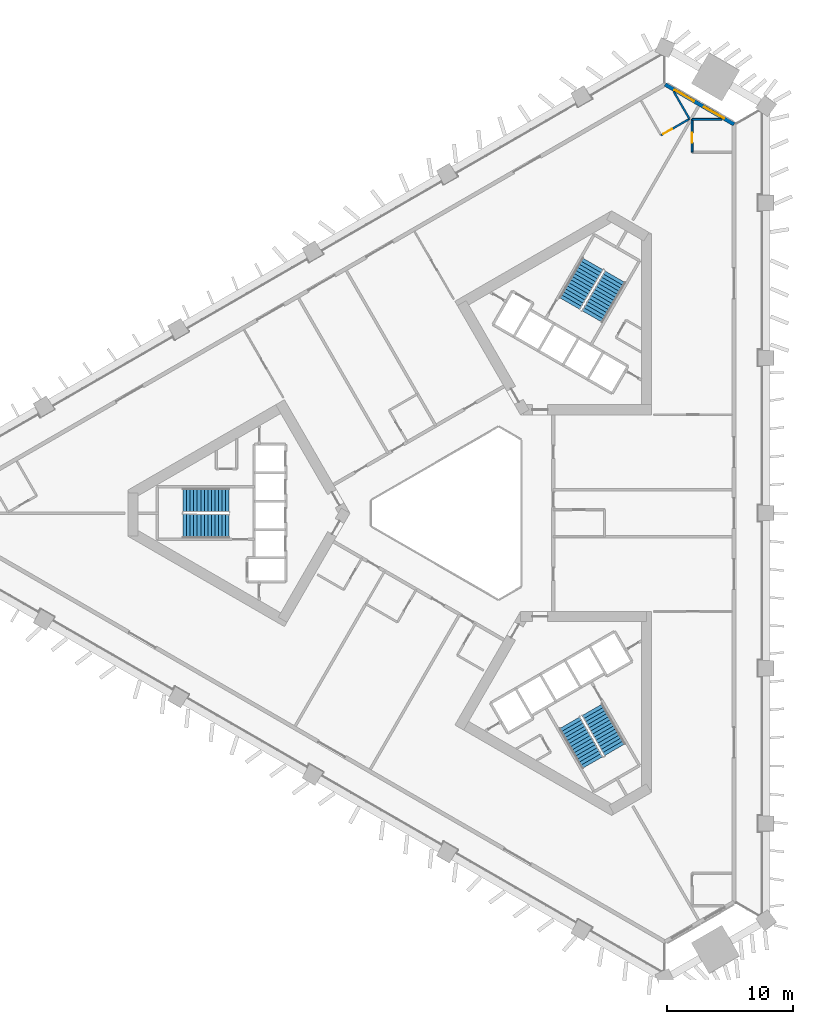
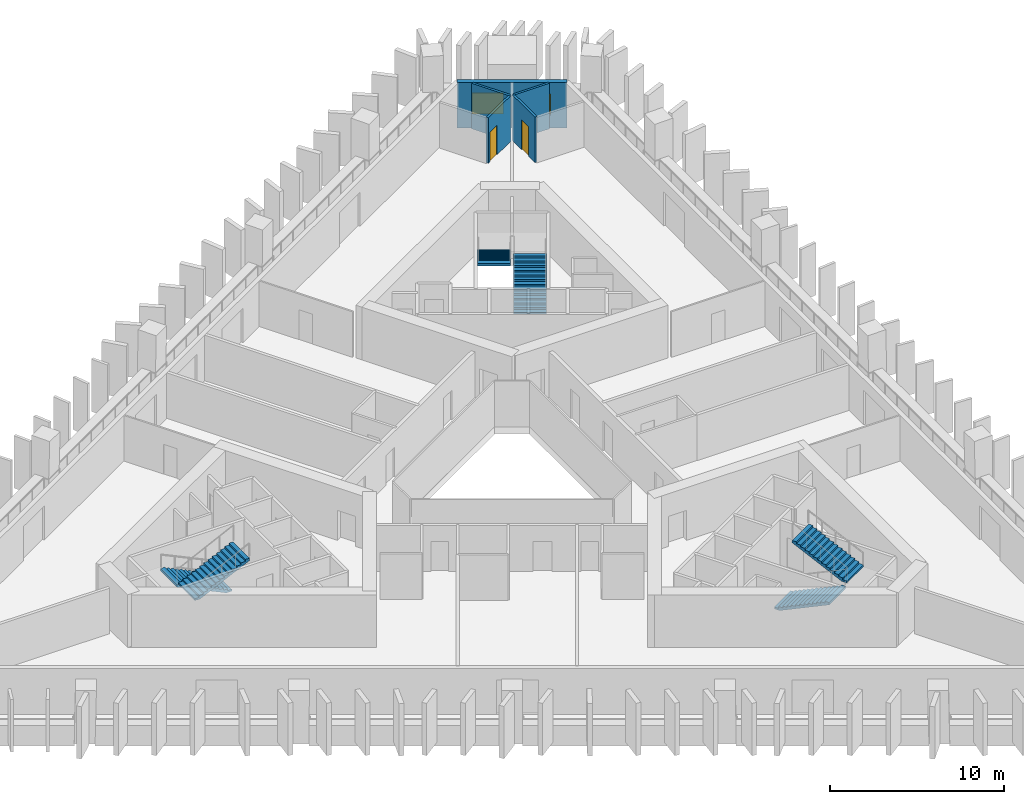
# One storey, part 6 of 10: 6 stair flights, 5 walls, 2 doors, 2 windows, 4 openings, 3 elements without a shape of their own.
"""IFC4 building model written with IfcOpenShell, lengths in metres."""

from ifc_helpers import new_model, si_unit, direction, frame, frame_2d, origin, place, context, subcontext, project, spatial, polyline, rectangle, outline, extrude, material, layer, layer_set, type_object, element, fill, aggregate, save


model = new_model("IFC4")

# Units and contexts
model_context = context("Model", 3, precision=1e-05, world=origin(), true_north=direction((0.0, 1.0)))
body_context = subcontext(model_context, "Body", "Model", "MODEL_VIEW")
ifc_project = project(units=[si_unit("LENGTHUNIT", "METRE"), si_unit("AREAUNIT", "SQUARE_METRE"), si_unit("VOLUMEUNIT", "CUBIC_METRE"), si_unit("PLANEANGLEUNIT", "RADIAN"), si_unit("MASSUNIT", "GRAM", prefix="KILO")], contexts=[model_context])

# Site, building, storey
site_placement = place(None, origin())
site = spatial("IfcSite", under=ifc_project, at=site_placement, CompositionType="ELEMENT")
building_placement = place(site_placement, origin())
building = spatial("IfcBuilding", under=site, at=building_placement, Name="Jabali Bay Hotel Tower and Convention Centre", CompositionType="ELEMENT")
storey_placement = place(building_placement, frame((0.0, 0.0, 33.699951171875)))
storey = spatial("IfcBuildingStorey", under=building, at=storey_placement, Name="L06", CompositionType="ELEMENT", Elevation=33.699951171875)

# Wall, openings, windows
ifc_material_1 = material(Name="Concrete C40", Category="concrete")
ifc_layer_1 = layer(ifc_material_1, 0.300048828125)
ifc_layer_set_1 = layer_set([ifc_layer_1], Name="Concrete C40")
wall_type_1 = type_object("IfcWallType", Name="External wall 300", PredefinedType="SOLIDWALL", material=ifc_layer_set_1)
wall_1_placement = place(storey_placement, frame((90.965087890625, 113.957275390625, 0.0), z_axis=(0.0, 0.0, 1.0), x_axis=(0.866032760736, -0.49998725717, 0.0)))
wall_1 = element("IfcWall", 1, at=wall_1_placement, inside=storey, type_object=wall_type_1, Name="External wall north-east chamfer L06", PredefinedType="SOLIDWALL", context=body_context, shape_type="SweptSolid", body=[
    extrude(rectangle(XDim=6.304931640625, YDim=0.300048828125, at=frame_2d((3.15234375, 0.0))), origin(), (0.0, 0.0, 1.0), 3.199951171875),
])
opening_1_placement = place(wall_1_placement, frame((3.56982421875, 0.0, 0.89990234375)))
opening_1 = element("IfcOpeningElement", 2, at=opening_1_placement, cuts=wall_1, Name="Opening W1", PredefinedType="OPENING", context=body_context, shape_type="SweptSolid", body=[
    extrude(rectangle(XDim=1.800048828125, YDim=1.5, at=frame_2d((0.89990234375, 0.75))), frame((0.0, 0.16064453125, 0.0), z_axis=(0.0, -1.0, 0.0), x_axis=(1.0, 0.0, 0.0)), (0.0, 0.0, 1.0), 0.321044921875),
])
opening_2_placement = place(wall_1_placement, frame((0.851806640625, 0.0, 0.89990234375)))
opening_2 = element("IfcOpeningElement", 3, at=opening_2_placement, cuts=wall_1, Name="Opening W1", PredefinedType="OPENING", context=body_context, shape_type="SweptSolid", body=[
    extrude(rectangle(XDim=1.800048828125, YDim=1.5, at=frame_2d((0.89990234375, 0.75))), frame((0.0, 0.16064453125, 0.0), z_axis=(0.0, -1.0, 0.0), x_axis=(1.0, 0.0, 0.0)), (0.0, 0.0, 1.0), 0.321044921875),
])
ifc_material_2 = material(Name="Glass", Category="glass")
window_type = type_object("IfcWindowType", Name="Window 1800 x 1500", PartitioningType="SINGLE_PANEL", PredefinedType="WINDOW", material=ifc_material_2)
window_1_placement = place(opening_1_placement, origin())
window_1 = element("IfcWindow", 4, at=window_1_placement, inside=storey, type_object=window_type, Name="Window 603", OverallHeight=1.5, OverallWidth=1.800048828125, PartitioningType="SINGLE_PANEL", PredefinedType="WINDOW", context=body_context, shape_type="SweptSolid", body=[
    extrude(rectangle(XDim=1.800048828125, YDim=1.5, at=frame_2d((0.89990234375, 0.75))), frame((0.0, 0.030029296875, 0.0), z_axis=(0.0, -1.0, 0.0), x_axis=(1.0, 0.0, 0.0)), (0.0, 0.0, 1.0), 0.06005859375),
])
fill(opening_1, window_1)
window_2_placement = place(opening_2_placement, origin())
window_2 = element("IfcWindow", 5, at=window_2_placement, inside=storey, type_object=window_type, Name="Window 604", OverallHeight=1.5, OverallWidth=1.800048828125, PartitioningType="SINGLE_PANEL", PredefinedType="WINDOW", context=body_context, shape_type="SweptSolid", body=[
    extrude(rectangle(XDim=1.800048828125, YDim=1.5, at=frame_2d((0.89990234375, 0.75))), frame((0.0, 0.030029296875, 0.0), z_axis=(0.0, -1.0, 0.0), x_axis=(1.0, 0.0, 0.0)), (0.0, 0.0, 1.0), 0.06005859375),
])
fill(opening_2, window_2)

# Wall, opening, door
ifc_material_3 = material(Name="Plasterboard on steel stud", Category="steel")
ifc_layer_2 = layer(ifc_material_3, 0.14990234375)
ifc_layer_set_2 = layer_set([ifc_layer_2], Name="Plasterboard on steel stud")
wall_type_2 = type_object("IfcWallType", Name="Partition 150 wet", PredefinedType="PARTITIONING", material=ifc_layer_set_2)
wall_2_placement = place(storey_placement, frame((93.1015625, 108.59423828125, 0.0), z_axis=(0.0, 0.0, 1.0), x_axis=(0.0, 1.0, 0.0)))
wall_2 = element("IfcWall", 6, at=wall_2_placement, inside=storey, type_object=wall_type_2, Name="Partition P03 L06 013", PredefinedType="PARTITIONING", context=body_context, shape_type="SweptSolid", body=[
    extrude(rectangle(XDim=2.60009765625, YDim=0.14990234375, at=frame_2d((1.300048828125, 0.0))), origin(), (0.0, 0.0, 1.0), 3.199951171875),
])
opening_3_placement = place(wall_2_placement, frame((0.75, 0.0, 0.0)))
opening_3 = element("IfcOpeningElement", 7, at=opening_3_placement, cuts=wall_2, Name="Opening 0608", PredefinedType="OPENING", context=body_context, shape_type="SweptSolid", body=[
    extrude(rectangle(XDim=0.800048828125, YDim=2.10009765625, at=frame_2d((0.39990234375, 1.050048828125))), frame((0.0, 0.08544921875, 0.0), z_axis=(0.0, -1.0, 0.0), x_axis=(1.0, 0.0, 0.0)), (0.0, 0.0, 1.0), 0.1708984375),
])
ifc_material_4 = material(Name="Timber", Category="wood")
door_type = type_object("IfcDoorType", Name="En-suite door 800 x 2100", OperationType="NOTDEFINED", PredefinedType="NOTDEFINED", material=ifc_material_4)
door_1_placement = place(opening_3_placement, origin())
door_1 = element("IfcDoor", 8, at=door_1_placement, inside=storey, type_object=door_type, Name="Door 0608", OperationType="SINGLE_SWING_LEFT", OverallHeight=2.10009765625, OverallWidth=0.800048828125, PredefinedType="NOTDEFINED", context=body_context, shape_type="SweptSolid", body=[
    extrude(rectangle(XDim=0.800048828125, YDim=2.10009765625, at=frame_2d((0.39990234375, 1.050048828125))), frame((0.0, 0.02490234375, 0.0), z_axis=(0.0, -1.0, 0.0), x_axis=(1.0, 0.0, 0.0)), (0.0, 0.0, 1.0), 0.050048828125),
])
fill(opening_3, door_1)

# Walls
wall_3_placement = place(storey_placement, frame((93.1015625, 111.1943359375, 0.0), z_axis=(0.0, 0.0, 1.0), x_axis=(1.0, 0.0, 0.0)))
element("IfcWall", 9, at=wall_3_placement, inside=storey, type_object=wall_type_2, Name="Partition P03 L06 014", PredefinedType="PARTITIONING", context=body_context, shape_type="SweptSolid", body=[
    extrude(rectangle(XDim=2.3515625, YDim=0.14990234375, at=frame_2d((1.17578125, 0.0))), origin(), (0.0, 0.0, 1.0), 3.199951171875),
])
wall_4_placement = place(storey_placement, frame((91.644287109375, 113.39306640625, 0.0), z_axis=(0.0, 0.0, 1.0), x_axis=(0.500021675881, -0.866012888847, 0.0)))
element("IfcWall", 10, at=wall_4_placement, inside=storey, type_object=wall_type_2, Name="Partition P03 L06 018", PredefinedType="PARTITIONING", context=body_context, shape_type="SweptSolid", body=[
    extrude(rectangle(XDim=2.49560546875, YDim=0.14990234375, at=frame_2d((1.247802734375, 0.0))), origin(), (0.0, 0.0, 1.0), 3.199951171875),
])

# Wall, opening, door
wall_5_placement = place(storey_placement, frame((92.89208984375, 111.23193359375, 0.0), z_axis=(0.0, 0.0, 1.0), x_axis=(-0.866021400173, -0.500006934395, 0.0)))
wall_5 = element("IfcWall", 11, at=wall_5_placement, inside=storey, type_object=wall_type_2, Name="Partition P03 L06 019", PredefinedType="PARTITIONING", context=body_context, shape_type="SweptSolid", body=[
    extrude(rectangle(XDim=2.60009765625, YDim=0.14990234375, at=frame_2d((1.300048828125, 0.0))), origin(), (0.0, 0.0, 1.0), 3.199951171875),
])
opening_4_placement = place(wall_5_placement, frame((1.60009765625, 0.0, 0.0)))
opening_4 = element("IfcOpeningElement", 12, at=opening_4_placement, cuts=wall_5, Name="Opening 0611", PredefinedType="OPENING", context=body_context, shape_type="SweptSolid", body=[
    extrude(rectangle(XDim=0.800048828125, YDim=2.10009765625, at=frame_2d((0.39990234375, 1.050048828125))), frame((0.0, 0.08544921875, 0.0), z_axis=(0.0, -1.0, 0.0), x_axis=(1.0, 0.0, 0.0)), (0.0, 0.0, 1.0), 0.1708984375),
])
door_2_placement = place(opening_4_placement, origin())
door_2 = element("IfcDoor", 13, at=door_2_placement, inside=storey, type_object=door_type, Name="Door 0611", OperationType="SINGLE_SWING_RIGHT", OverallHeight=2.10009765625, OverallWidth=0.800048828125, PredefinedType="NOTDEFINED", context=body_context, shape_type="SweptSolid", body=[
    extrude(rectangle(XDim=0.800048828125, YDim=2.10009765625, at=frame_2d((0.39990234375, 1.050048828125))), frame((0.0, 0.02490234375, 0.0), z_axis=(0.0, -1.0, 0.0), x_axis=(1.0, 0.0, 0.0)), (0.0, 0.0, 1.0), 0.050048828125),
])
fill(opening_4, door_2)

# Stair, stair flights
stair_type = type_object("IfcStairType", Name="Exit stair 1900", PredefinedType="HALF_TURN_STAIR", material=ifc_material_1)
stair_1_placement = place(storey_placement, origin())
stair_1 = element("IfcStair", 14, at=stair_1_placement, inside=storey, type_object=stair_type, Name="L06 Exit Stair 1", PredefinedType="HALF_TURN_STAIR")
stair_flight_type = type_object("IfcStairFlightType", Name="Stair flight concrete 150", PredefinedType="STRAIGHT", material=ifc_material_1)
stair_flight_1_placement = place(storey_placement, frame((56.419921875, 81.02490234375, 0.0), z_axis=(0.0, 0.0, 1.0), x_axis=(-1.0, 0.0, 0.0)))
stair_flight_1 = element("IfcStairFlight", 15, at=stair_flight_1_placement, type_object=stair_flight_type, Name="ST1 flight 1", NumberOfRisers=14, NumberOfTreads=13, PredefinedType="STRAIGHT", RiserHeight=0.132142857, TreadLength=0.28, context=body_context, shape_type="SweptSolid", body=[
    extrude(outline(polyline([(0.0, 0.0), (0.0, 0.132080078125), (0.280029296875, 0.132080078125), (0.280029296875, 0.264404296875), (0.56005859375, 0.264404296875), (0.56005859375, 0.396484375), (0.840087890625, 0.396484375), (0.840087890625, 0.528564453125), (1.1201171875, 0.528564453125), (1.1201171875, 0.66064453125), (1.39990234375, 0.66064453125), (1.39990234375, 0.79296875), (1.679931640625, 0.79296875), (1.679931640625, 0.925048828125), (1.9599609375, 0.925048828125), (1.9599609375, 1.05712890625), (2.239990234375, 1.05712890625), (2.239990234375, 1.189208984375), (2.52001953125, 1.189208984375), (2.52001953125, 1.321533203125), (2.800048828125, 1.321533203125), (2.800048828125, 1.45361328125), (3.080078125, 1.45361328125), (3.080078125, 1.585693359375), (3.360107421875, 1.585693359375), (3.360107421875, 1.7177734375), (3.639892578125, 1.7177734375), (3.639892578125, 1.85009765625), (3.639892578125, 1.552001953125), (0.351318359375, 0.0), (0.0, 0.0)])), frame((0.0, 0.949951171875, 0.0), z_axis=(0.0, -1.0, 0.0), x_axis=(1.0, 0.0, 0.0)), (0.0, 0.0, 1.0), 1.89990234375),
])
stair_flight_2_placement = place(storey_placement, frame((52.780029296875, 78.97509765625, 1.85009765625), z_axis=(0.0, 0.0, 1.0), x_axis=(1.0, 0.0, 0.0)))
stair_flight_2 = element("IfcStairFlight", 16, at=stair_flight_2_placement, type_object=stair_flight_type, Name="ST1 flight 2", NumberOfRisers=14, NumberOfTreads=13, PredefinedType="STRAIGHT", RiserHeight=0.132142857, TreadLength=0.28, context=body_context, shape_type="SweptSolid", body=[
    extrude(outline(polyline([(0.0, 0.0), (0.0, 0.132080078125), (0.280029296875, 0.132080078125), (0.280029296875, 0.264404296875), (0.56005859375, 0.264404296875), (0.56005859375, 0.396484375), (0.840087890625, 0.396484375), (0.840087890625, 0.528564453125), (1.1201171875, 0.528564453125), (1.1201171875, 0.66064453125), (1.39990234375, 0.66064453125), (1.39990234375, 0.79296875), (1.679931640625, 0.79296875), (1.679931640625, 0.925048828125), (1.9599609375, 0.925048828125), (1.9599609375, 1.05712890625), (2.239990234375, 1.05712890625), (2.239990234375, 1.189208984375), (2.52001953125, 1.189208984375), (2.52001953125, 1.321533203125), (2.800048828125, 1.321533203125), (2.800048828125, 1.45361328125), (3.080078125, 1.45361328125), (3.080078125, 1.585693359375), (3.360107421875, 1.585693359375), (3.360107421875, 1.7177734375), (3.639892578125, 1.7177734375), (3.639892578125, 1.85009765625), (3.639892578125, 1.552001953125), (0.351318359375, 0.0), (0.0, 0.0)])), frame((0.0, 0.949951171875, 0.0), z_axis=(0.0, -1.0, 0.0), x_axis=(1.0, 0.0, 0.0)), (0.0, 0.0, 1.0), 1.89990234375),
])
aggregate(stair_1, [stair_flight_1, stair_flight_2])

stair_2_placement = place(storey_placement, origin())
stair_2 = element("IfcStair", 17, at=stair_2_placement, inside=storey, type_object=stair_type, Name="L06 Exit Stair 2", PredefinedType="HALF_TURN_STAIR")
stair_flight_3_placement = place(storey_placement, frame((85.177734375, 95.578369140625, 0.0), z_axis=(0.0, 0.0, 1.0), x_axis=(0.5, 0.866025403784, 0.0)))
stair_flight_3 = element("IfcStairFlight", 18, at=stair_flight_3_placement, type_object=stair_flight_type, Name="ST2 flight 1", NumberOfRisers=14, NumberOfTreads=13, PredefinedType="STRAIGHT", RiserHeight=0.132142857, TreadLength=0.28, context=body_context, shape_type="SweptSolid", body=[
    extrude(outline(polyline([(0.0, 0.0), (0.0, 0.132080078125), (0.280029296875, 0.132080078125), (0.280029296875, 0.264404296875), (0.56005859375, 0.264404296875), (0.56005859375, 0.396484375), (0.840087890625, 0.396484375), (0.840087890625, 0.528564453125), (1.1201171875, 0.528564453125), (1.1201171875, 0.66064453125), (1.39990234375, 0.66064453125), (1.39990234375, 0.79296875), (1.679931640625, 0.79296875), (1.679931640625, 0.925048828125), (1.9599609375, 0.925048828125), (1.9599609375, 1.05712890625), (2.239990234375, 1.05712890625), (2.239990234375, 1.189208984375), (2.52001953125, 1.189208984375), (2.52001953125, 1.321533203125), (2.800048828125, 1.321533203125), (2.800048828125, 1.45361328125), (3.080078125, 1.45361328125), (3.080078125, 1.585693359375), (3.360107421875, 1.585693359375), (3.360107421875, 1.7177734375), (3.639892578125, 1.7177734375), (3.639892578125, 1.85009765625), (3.639892578125, 1.552001953125), (0.351318359375, 0.0), (0.0, 0.0)])), frame((0.0, 0.949951171875, 0.0), z_axis=(0.0, -1.0, 0.0), x_axis=(1.0, 0.0, 0.0)), (0.0, 0.0, 1.0), 1.89990234375),
])
stair_flight_4_placement = place(storey_placement, frame((85.222412109375, 99.755615234375, 1.85009765625), z_axis=(0.0, 0.0, 1.0), x_axis=(-0.5, -0.866025403784, 0.0)))
stair_flight_4 = element("IfcStairFlight", 19, at=stair_flight_4_placement, type_object=stair_flight_type, Name="ST2 flight 2", NumberOfRisers=14, NumberOfTreads=13, PredefinedType="STRAIGHT", RiserHeight=0.132142857, TreadLength=0.28, context=body_context, shape_type="SweptSolid", body=[
    extrude(outline(polyline([(0.0, 0.0), (0.0, 0.132080078125), (0.280029296875, 0.132080078125), (0.280029296875, 0.264404296875), (0.56005859375, 0.264404296875), (0.56005859375, 0.396484375), (0.840087890625, 0.396484375), (0.840087890625, 0.528564453125), (1.1201171875, 0.528564453125), (1.1201171875, 0.66064453125), (1.39990234375, 0.66064453125), (1.39990234375, 0.79296875), (1.679931640625, 0.79296875), (1.679931640625, 0.925048828125), (1.9599609375, 0.925048828125), (1.9599609375, 1.05712890625), (2.239990234375, 1.05712890625), (2.239990234375, 1.189208984375), (2.52001953125, 1.189208984375), (2.52001953125, 1.321533203125), (2.800048828125, 1.321533203125), (2.800048828125, 1.45361328125), (3.080078125, 1.45361328125), (3.080078125, 1.585693359375), (3.360107421875, 1.585693359375), (3.360107421875, 1.7177734375), (3.639892578125, 1.7177734375), (3.639892578125, 1.85009765625), (3.639892578125, 1.552001953125), (0.351318359375, 0.0), (0.0, 0.0)])), frame((0.0, 0.949951171875, 0.0), z_axis=(0.0, -1.0, 0.0), x_axis=(1.0, 0.0, 0.0)), (0.0, 0.0, 1.0), 1.89990234375),
])
aggregate(stair_2, [stair_flight_3, stair_flight_4])

stair_3_placement = place(storey_placement, origin())
stair_3 = element("IfcStair", 20, at=stair_3_placement, inside=storey, type_object=stair_type, Name="L06 Exit Stair 3", PredefinedType="HALF_TURN_STAIR")
stair_flight_5_placement = place(storey_placement, frame((83.40234375, 63.396728515625, 0.0), z_axis=(0.0, 0.0, 1.0), x_axis=(0.5, -0.866025403784, 0.0)))
stair_flight_5 = element("IfcStairFlight", 21, at=stair_flight_5_placement, type_object=stair_flight_type, Name="ST3 flight 1", NumberOfRisers=14, NumberOfTreads=13, PredefinedType="STRAIGHT", RiserHeight=0.132142857, TreadLength=0.28, context=body_context, shape_type="SweptSolid", body=[
    extrude(outline(polyline([(0.0, 0.0), (0.0, 0.132080078125), (0.280029296875, 0.132080078125), (0.280029296875, 0.264404296875), (0.56005859375, 0.264404296875), (0.56005859375, 0.396484375), (0.840087890625, 0.396484375), (0.840087890625, 0.528564453125), (1.1201171875, 0.528564453125), (1.1201171875, 0.66064453125), (1.39990234375, 0.66064453125), (1.39990234375, 0.79296875), (1.679931640625, 0.79296875), (1.679931640625, 0.925048828125), (1.9599609375, 0.925048828125), (1.9599609375, 1.05712890625), (2.239990234375, 1.05712890625), (2.239990234375, 1.189208984375), (2.52001953125, 1.189208984375), (2.52001953125, 1.321533203125), (2.800048828125, 1.321533203125), (2.800048828125, 1.45361328125), (3.080078125, 1.45361328125), (3.080078125, 1.585693359375), (3.360107421875, 1.585693359375), (3.360107421875, 1.7177734375), (3.639892578125, 1.7177734375), (3.639892578125, 1.85009765625), (3.639892578125, 1.552001953125), (0.351318359375, 0.0), (0.0, 0.0)])), frame((0.0, 0.949951171875, 0.0), z_axis=(0.0, -1.0, 0.0), x_axis=(1.0, 0.0, 0.0)), (0.0, 0.0, 1.0), 1.89990234375),
])
stair_flight_6_placement = place(storey_placement, frame((86.99755859375, 61.26953125, 1.85009765625), z_axis=(0.0, 0.0, 1.0), x_axis=(-0.5, 0.866025403784, 0.0)))
stair_flight_6 = element("IfcStairFlight", 22, at=stair_flight_6_placement, type_object=stair_flight_type, Name="ST3 flight 2", NumberOfRisers=14, NumberOfTreads=13, PredefinedType="STRAIGHT", RiserHeight=0.132142857, TreadLength=0.28, context=body_context, shape_type="SweptSolid", body=[
    extrude(outline(polyline([(0.0, 0.0), (0.0, 0.132080078125), (0.280029296875, 0.132080078125), (0.280029296875, 0.264404296875), (0.56005859375, 0.264404296875), (0.56005859375, 0.396484375), (0.840087890625, 0.396484375), (0.840087890625, 0.528564453125), (1.1201171875, 0.528564453125), (1.1201171875, 0.66064453125), (1.39990234375, 0.66064453125), (1.39990234375, 0.79296875), (1.679931640625, 0.79296875), (1.679931640625, 0.925048828125), (1.9599609375, 0.925048828125), (1.9599609375, 1.05712890625), (2.239990234375, 1.05712890625), (2.239990234375, 1.189208984375), (2.52001953125, 1.189208984375), (2.52001953125, 1.321533203125), (2.800048828125, 1.321533203125), (2.800048828125, 1.45361328125), (3.080078125, 1.45361328125), (3.080078125, 1.585693359375), (3.360107421875, 1.585693359375), (3.360107421875, 1.7177734375), (3.639892578125, 1.7177734375), (3.639892578125, 1.85009765625), (3.639892578125, 1.552001953125), (0.351318359375, 0.0), (0.0, 0.0)])), frame((0.0, 0.949951171875, 0.0), z_axis=(0.0, -1.0, 0.0), x_axis=(1.0, 0.0, 0.0)), (0.0, 0.0, 1.0), 1.89990234375),
])
aggregate(stair_3, [stair_flight_5, stair_flight_6])

save(model, "model.ifc")
